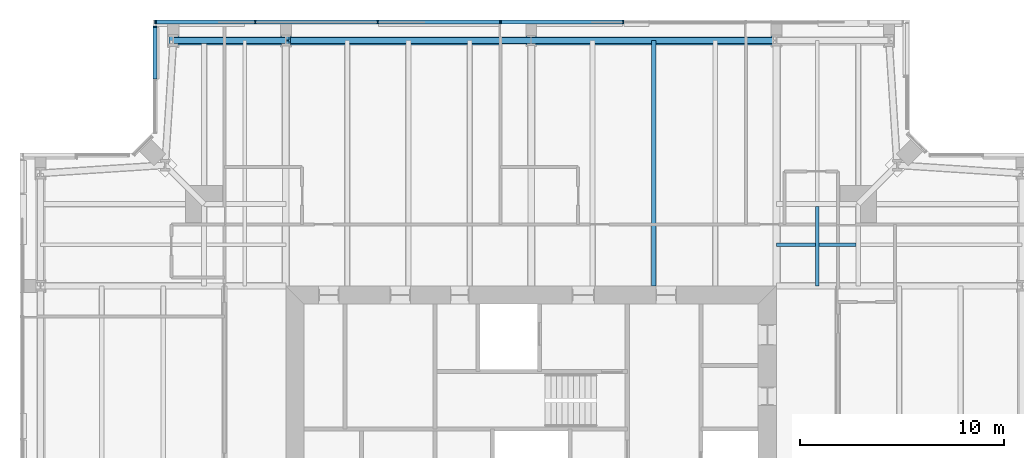
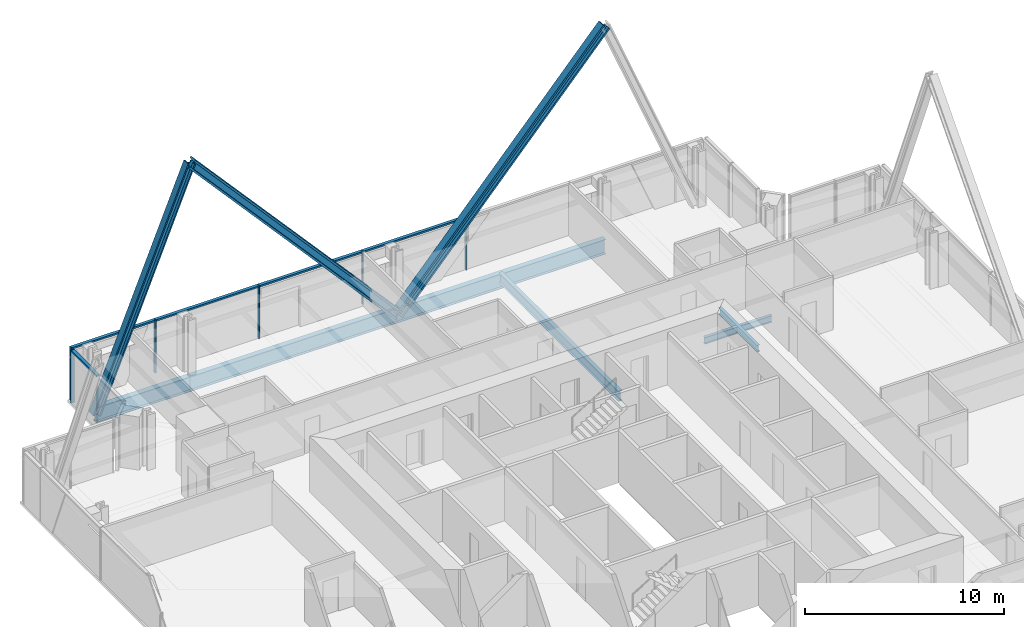
# One storey, part 8 of 19: 14 members, 7 beams, 2 elements without a shape of their own.
"""IFC4 building model written with IfcOpenShell, lengths in metres."""

import ifcopenshell
import ifcopenshell.guid

model = None  # the IFC model being written
_history = None  # IfcOwnerHistory: only IFC2X3 demands one
_inside = {}  # id of a spatial element -> (the spatial element, [elements in it])
_under = {}  # id of a project, library or spatial element -> (it, [spatial elements below it])
_declared = {}  # id of a project -> (the project, [libraries it declares])
_typed = {}  # id of a type object -> (the type object, [elements of that type])
_made_of = {}  # id of a material, layer set ... -> (it, [elements and type objects made of it])


def new_model(schema):
    """Start an empty IFC model of exactly this schema.

    Asked for "IFC4X3", IfcOpenShell would pick the latest addendum, in which some entities
    have other attributes; the version numbers below select the first issue.
    IFC2X3 requires an IfcOwnerHistory on every rooted entity: one is made here for all.
    """
    global model, _history
    if schema == "IFC4X3":
        model = ifcopenshell.file(schema_version=(4, 3, 0, 0))
    else:
        model = ifcopenshell.file(schema=schema)
    _inside.clear()
    _under.clear()
    _declared.clear()
    _typed.clear()
    _made_of.clear()
    _history = None
    if model.schema == "IFC2X3":
        org = make("IfcOrganization", Name="unknown")
        user = make(
            "IfcPersonAndOrganization",
            ThePerson=make("IfcPerson", FamilyName="unknown"),
            TheOrganization=org,
        )
        app = make(
            "IfcApplication",
            ApplicationDeveloper=org,
            Version="unknown",
            ApplicationFullName="unknown",
            ApplicationIdentifier="unknown",
        )
        _history = make(
            "IfcOwnerHistory",
            OwningUser=user,
            OwningApplication=app,
            ChangeAction="ADDED",
            CreationDate=0,
        )
    return model


def make(cls, **values):
    """One entity of the class cls with the attributes given. An attribute that is None is left unset."""
    return model.create_entity(
        cls, **{name: value for name, value in values.items() if value is not None}
    )


def rooted(cls, **values):
    """An entity with a GlobalId (a new one), such as an element, a storey or a relation."""
    return make(cls, GlobalId=ifcopenshell.guid.new(), OwnerHistory=_history, **values)


def si_unit(unit_type, name, prefix=None):
    """IfcSIUnit, for example si_unit("LENGTHUNIT", "METRE", prefix="MILLI")."""
    return make("IfcSIUnit", UnitType=unit_type, Prefix=prefix, Name=name)


def assignment(units):
    """IfcUnitAssignment: the units of a project."""
    return None if units is None else make("IfcUnitAssignment", Units=units)


def point(xyz):
    """IfcCartesianPoint."""
    return None if xyz is None else make("IfcCartesianPoint", Coordinates=xyz)


def direction(xyz):
    """IfcDirection."""
    return None if xyz is None else make("IfcDirection", DirectionRatios=xyz)


def frame(location, z_axis=None, x_axis=None):
    """IfcAxis2Placement3D, a coordinate frame: its origin and axes. An axis left out is left unset."""
    return make(
        "IfcAxis2Placement3D",
        Location=point(location),
        Axis=direction(z_axis),
        RefDirection=direction(x_axis),
    )


def frame_2d(location, x_axis=None):
    """IfcAxis2Placement2D, a coordinate frame in the plane: its origin and x axis."""
    return make(
        "IfcAxis2Placement2D", Location=point(location), RefDirection=direction(x_axis)
    )


def origin():
    """The frame at (0, 0, 0) with its axes left unset."""
    return frame((0.0, 0.0, 0.0))


def origin_2d():
    """The frame at (0, 0) in the plane with its x axis left unset."""
    return frame_2d((0.0, 0.0))


def place(relative_to, where):
    """IfcLocalPlacement: puts the frame where relative to a parent placement (None: the world)."""
    return make(
        "IfcLocalPlacement", PlacementRelTo=relative_to, RelativePlacement=where
    )


def context(
    kind, dimensions, precision=None, world=None, true_north=None, identifier=None
):
    """IfcGeometricRepresentationContext, for example the 3D "Model" context."""
    return make(
        "IfcGeometricRepresentationContext",
        ContextIdentifier=identifier,
        ContextType=kind,
        CoordinateSpaceDimension=dimensions,
        Precision=precision,
        WorldCoordinateSystem=world,
        TrueNorth=true_north,
    )


def subcontext(parent, identifier, kind, view, scale=None):
    """IfcGeometricRepresentationSubContext, for example "Body" below "Model"."""
    return make(
        "IfcGeometricRepresentationSubContext",
        ContextIdentifier=identifier,
        ContextType=kind,
        ParentContext=parent,
        TargetScale=scale,
        TargetView=view,
    )


def project(units=None, contexts=None):
    """IfcProject with its units and contexts."""
    return rooted(
        "IfcProject",
        Name="project",
        RepresentationContexts=contexts,
        UnitsInContext=assignment(units),
    )


def spatial(cls, under=None, at=None, **own):
    """A site, building, storey or space (cls), placed at a placement, below another one or the project."""
    s = rooted(cls, ObjectPlacement=at, **own)
    if under is not None:
        _under.setdefault(under.id(), (under, []))[1].append(s)
    return s


def profile(cls, at=None, kind="AREA", **sizes):
    """A parametric profile (cls). Its sizes go by their IFC names, for example OverallWidth=200.0."""
    return make(cls, ProfileType=kind, Position=at, **sizes)


def rectangle(**sizes):
    """IfcRectangleProfileDef."""
    return profile("IfcRectangleProfileDef", **sizes)


def i_section(**sizes):
    """IfcIShapeProfileDef."""
    return profile("IfcIShapeProfileDef", **sizes)


def extrude(swept, where, along, depth):
    """IfcExtrudedAreaSolid: the profile swept, set in the frame where, extruded along a direction by depth."""
    return make(
        "IfcExtrudedAreaSolid",
        SweptArea=swept,
        Position=where,
        ExtrudedDirection=direction(along),
        Depth=depth,
    )


def shape(context_of_items, identifier, shape_type, items):
    """IfcShapeRepresentation: the items that make up one representation, for example the "Body"."""
    return make(
        "IfcShapeRepresentation",
        ContextOfItems=context_of_items,
        RepresentationIdentifier=identifier,
        RepresentationType=shape_type,
        Items=items,
    )


def material(Name=None, Category=None):
    """IfcMaterial."""
    return make("IfcMaterial", Name=Name, Category=Category)


def material_profile(
    of_material, cross_section, Name=None, Category=None, Priority=None
):
    """IfcMaterialProfile: a cross section and its material."""
    return make(
        "IfcMaterialProfile",
        Name=Name,
        Material=of_material,
        Profile=cross_section,
        Priority=Priority,
        Category=Category,
    )


def profile_set(profiles, Name=None, composite=None):
    """IfcMaterialProfileSet."""
    return make(
        "IfcMaterialProfileSet",
        Name=Name,
        MaterialProfiles=profiles,
        CompositeProfile=composite,
    )


def made_of(thing, what):
    """Note that an element or type object is made of a material, layer set ...; save() writes the relation."""
    if what is not None:
        _made_of.setdefault(what.id(), (what, []))[1].append(thing)
    return thing


def type_object(cls, material=None, **own):
    """A type object (cls), such as IfcWallType, which elements share."""
    return made_of(rooted(cls, **own), material)


def element(
    cls,
    number,
    at=None,
    inside=None,
    cuts=None,
    type_object=None,
    material=None,
    context=None,
    identifier="Body",
    shape_type=None,
    held_by="IfcProductDefinitionShape",
    body=None,
    shapes=None,
    **own,
):
    """One element of the class cls, such as IfcWall. Its Tag is "e" and its number.

    at: its placement. inside: the storey or other place that contains it. cuts: it is an
    opening in that element (IfcRelVoidsElement). A single representation is given by context,
    identifier, shape_type and body (its items); several are given by shapes. held_by: the class
    of the entity that holds the representations. save() writes the other relations.
    """
    e = rooted(cls, Tag="e%d" % number, ObjectPlacement=at, **own)
    if body is not None:
        shapes = [shape(context, identifier, shape_type, body)]
    if shapes is not None:
        e.Representation = make(held_by, Representations=shapes)
    if inside is not None:
        _inside.setdefault(inside.id(), (inside, []))[1].append(e)
    if cuts is not None:
        rooted(
            "IfcRelVoidsElement", RelatingBuildingElement=cuts, RelatedOpeningElement=e
        )
    if type_object is not None:
        _typed.setdefault(type_object.id(), (type_object, []))[1].append(e)
    return made_of(e, material)


def aggregate(whole, parts):
    """IfcRelAggregates: a whole, such as a stair, and the parts it consists of."""
    return rooted("IfcRelAggregates", RelatingObject=whole, RelatedObjects=parts)


def save(model, path):
    """Write the relations noted so far, then the file.

    IfcRelAggregates (storeys below a building ...), IfcRelContainedInSpatialStructure (elements
    in a storey), IfcRelDefinesByType, IfcRelAssociatesMaterial and IfcRelDeclares: one each for
    every whole, place, type object, material and project.
    """
    for whole, parts in _under.values():
        aggregate(whole, parts)
    for where, things in _inside.values():
        rooted(
            "IfcRelContainedInSpatialStructure",
            RelatedElements=things,
            RelatingStructure=where,
        )
    for kind, things in _typed.values():
        rooted("IfcRelDefinesByType", RelatedObjects=things, RelatingType=kind)
    for what, things in _made_of.values():
        rooted("IfcRelAssociatesMaterial", RelatedObjects=things, RelatingMaterial=what)
    for by, libraries in _declared.values():
        rooted("IfcRelDeclares", RelatingContext=by, RelatedDefinitions=libraries)
    model.write(path)


model = new_model("IFC4")

# Units and contexts
model_context = context("Model", 3, precision=1e-05, world=origin(), true_north=direction((0.0, 1.0)))
body_context = subcontext(model_context, "Body", "Model", "MODEL_VIEW")
ifc_project = project(units=[si_unit("LENGTHUNIT", "METRE"), si_unit("AREAUNIT", "SQUARE_METRE"), si_unit("VOLUMEUNIT", "CUBIC_METRE"), si_unit("PLANEANGLEUNIT", "RADIAN"), si_unit("MASSUNIT", "GRAM", prefix="KILO")], contexts=[model_context])

# Site, building, storey
site_placement = place(None, origin())
site = spatial("IfcSite", under=ifc_project, at=site_placement, CompositionType="ELEMENT")
building_placement = place(site_placement, origin())
building = spatial("IfcBuilding", under=site, at=building_placement, Name="Fenwick Lantern Interchange", CompositionType="ELEMENT")
storey_placement = place(building_placement, frame((0.0, 0.0, 283.199951171875)))
storey = spatial("IfcBuildingStorey", under=building, at=storey_placement, Name="L68", CompositionType="ELEMENT", Elevation=283.199951171875)

# Beams
ifc_material_1 = material(Name="Steel ASTM A992 Grade 50", Category="steel")
ifc_material_profile_1 = material_profile(ifc_material_1, i_section(OverallWidth=0.3046875, OverallDepth=0.911865234375, WebThickness=0.015869140625, FlangeThickness=0.02392578125, at=origin_2d()), Name="W36X150")
ifc_profile_set_1 = profile_set([ifc_material_profile_1], Name="Steel ASTM A992 Grade 50")
beam_type_1 = type_object("IfcBeamType", Name="EDGE BEAM W36X150", PredefinedType="SPANDREL", material=ifc_profile_set_1)
for number, where, z_axis, x_axis, name in (
    (1, (37.0, 49.0, -0.60595703125), (-1.0, 0.0, 0.0), (0.0, -1.0, 0.0), "L68/FR/N/EB2"),
    (2, (25.0, 49.0, -0.60595703125), (-1.0, 0.0, 0.0), (0.0, -1.0, 0.0), "L68/FR/N/EB3"),
):
    element("IfcBeam", number, at=place(storey_placement, frame(where, z_axis=z_axis, x_axis=x_axis)), inside=storey, type_object=beam_type_1, Name=name, PredefinedType="SPANDREL", context=body_context, shape_type="SweptSolid", body=[
        extrude(i_section(OverallWidth=0.3046875, OverallDepth=0.911865234375, WebThickness=0.015869140625, FlangeThickness=0.02392578125, at=origin_2d()), origin(), (0.0, 0.0, 1.0), 12.0),
    ])
beam_1_placement = place(storey_placement, frame((13.0, 49.0, -0.60595703125), z_axis=(-1.0, 0.0, 0.0), x_axis=(0.0, -1.0, 0.0)))
element("IfcBeam", 3, at=beam_1_placement, inside=storey, type_object=beam_type_1, Name="L68/FR/N/EB4", PredefinedType="SPANDREL", context=body_context, shape_type="SweptSolid", body=[
    extrude(i_section(OverallWidth=0.3046875, OverallDepth=0.911865234375, WebThickness=0.015869140625, FlangeThickness=0.02392578125, at=origin_2d()), origin(), (0.0, 0.0, 1.0), 5.5),
])

# Members
ifc_material_profile_2 = material_profile(ifc_material_1, i_section(OverallWidth=0.424072265625, OverallDepth=0.47509765625, WebThickness=0.0478515625, FlangeThickness=0.0771484375, at=origin_2d()), Name="W14X426")
ifc_profile_set_2 = profile_set([ifc_material_profile_2], Name="Steel ASTM A992 Grade 50")
member_type_1 = type_object("IfcMemberType", Name="FACADE BRACE W14X426", PredefinedType="BRACE", material=ifc_profile_set_2)
member_1_placement = place(storey_placement, frame((7.5, 49.0, -0.60595703125), z_axis=(0.377648302155, 0.0, 0.925949113008), x_axis=(0.0, 1.0, 0.0)))
element("IfcMember", 4, at=member_1_placement, inside=storey, type_object=member_type_1, Name="L68/FB/N/BE", PredefinedType="BRACE", context=body_context, shape_type="SweptSolid", body=[
    extrude(i_section(OverallWidth=0.424072265625, OverallDepth=0.47509765625, WebThickness=0.0478515625, FlangeThickness=0.0771484375, at=origin_2d()), origin(), (0.0, 0.0, 1.0), 14.563720703125),
])
ifc_material_profile_3 = material_profile(ifc_material_1, i_section(OverallWidth=0.44189453125, OverallDepth=0.53076171875, WebThickness=0.06591796875, FlangeThickness=0.105712890625, at=origin_2d()), Name="W14X605")
ifc_profile_set_3 = profile_set([ifc_material_profile_3], Name="Steel ASTM A992 Grade 50")
member_type_2 = type_object("IfcMemberType", Name="FACADE BRACE W14X605", PredefinedType="BRACE", material=ifc_profile_set_3)
for number, where, z_axis, x_axis, name in (
    (5, (25.0, 49.0, -0.60595703125), (0.66476668545, 0.0, 0.747051038361), (0.0, 1.0, 0.0), "L68/FB/N/A"),
    (6, (25.0, 49.0, -0.60595703125), (-0.66476668545, 0.0, 0.747051038361), (0.0, -1.0, 0.0), "L68/FB/N/B"),
):
    element("IfcMember", number, at=place(storey_placement, frame(where, z_axis=z_axis, x_axis=x_axis)), inside=storey, type_object=member_type_2, Name=name, PredefinedType="BRACE", context=body_context, shape_type="SweptSolid", body=[
        extrude(i_section(OverallWidth=0.44189453125, OverallDepth=0.53076171875, WebThickness=0.06591796875, FlangeThickness=0.105712890625, at=origin_2d()), origin(), (0.0, 0.0, 1.0), 18.051513671875),
    ])

# Beam
ifc_material_profile_4 = material_profile(ifc_material_1, i_section(OverallWidth=0.22900390625, OverallDepth=0.612060546875, WebThickness=0.011962890625, FlangeThickness=0.01953125, at=origin_2d()), Name="W24X84")
ifc_profile_set_4 = profile_set([ifc_material_profile_4], Name="Steel ASTM A992 Grade 50")
beam_type_2 = type_object("IfcBeamType", Name="FLOOR BEAM W24X84", PredefinedType="BEAM", material=ifc_profile_set_4)
beam_2_placement = place(storey_placement, frame((31.0, 49.0, -0.4560546875), z_axis=(0.0, -1.0, 0.0), x_axis=(1.0, 0.0, 0.0)))
element("IfcBeam", 7, at=beam_2_placement, inside=storey, type_object=beam_type_2, Name="L68/FR/N/R03", PredefinedType="BEAM", context=body_context, shape_type="SweptSolid", body=[
    extrude(i_section(OverallWidth=0.22900390625, OverallDepth=0.612060546875, WebThickness=0.011962890625, FlangeThickness=0.01953125, at=origin_2d()), origin(), (0.0, 0.0, 1.0), 12.0),
])

# Curtain wall, members
ifc_material_2 = material(Name="Aluminium curtain wall frame", Category="aluminium")
curtain_wall_type = type_object("IfcCurtainWallType", Name="HOTEL CURTAIN WALL", PredefinedType="USERDEFINED", material=ifc_material_2)
curtain_wall_1_placement = place(storey_placement, origin())
curtain_wall_1 = element("IfcCurtainWall", 8, at=curtain_wall_1_placement, inside=storey, type_object=curtain_wall_type, Name="Hotel curtain wall 09", ObjectType="HOTEL CURTAIN WALL", PredefinedType="USERDEFINED")
ifc_material_3 = material(Name="Aluminium extrusion", Category="aluminium")
ifc_material_profile_5 = material_profile(ifc_material_3, rectangle(XDim=0.179931640625, YDim=0.06005859375, at=origin_2d()), Name="HOTEL CURTAIN WALL MULLION 60 X 180")
ifc_profile_set_5 = profile_set([ifc_material_profile_5], Name="Aluminium extrusion")
member_type_3 = type_object("IfcMemberType", Name="HOTEL CURTAIN WALL MULLION 60 X 180", PredefinedType="MULLION", material=ifc_profile_set_5)
member_2_placement = place(storey_placement, frame((29.5, 49.89990234375, 0.0), z_axis=(0.0, 0.0, 1.0), x_axis=(0.0, -1.0, 0.0)))
member_2 = element("IfcMember", 9, at=member_2_placement, type_object=member_type_3, Name="L68/CW/09/M03", PredefinedType="MULLION", context=body_context, shape_type="SweptSolid", body=[
    extrude(rectangle(XDim=0.179931640625, YDim=0.06005859375, at=origin_2d()), origin(), (0.0, 0.0, 1.0), 3.25),
])
member_3_placement = place(storey_placement, frame((23.5, 49.89990234375, 0.0), z_axis=(0.0, 0.0, 1.0), x_axis=(0.0, -1.0, 0.0)))
member_3 = element("IfcMember", 10, at=member_3_placement, type_object=member_type_3, Name="L68/CW/09/M04", PredefinedType="MULLION", context=body_context, shape_type="SweptSolid", body=[
    extrude(rectangle(XDim=0.179931640625, YDim=0.06005859375, at=origin_2d()), origin(), (0.0, 0.0, 1.0), 3.25),
])
member_4_placement = place(storey_placement, frame((17.5, 49.89990234375, 0.0), z_axis=(0.0, 0.0, 1.0), x_axis=(0.0, -1.0, 0.0)))
member_4 = element("IfcMember", 11, at=member_4_placement, type_object=member_type_3, Name="L68/CW/09/M05", PredefinedType="MULLION", context=body_context, shape_type="SweptSolid", body=[
    extrude(rectangle(XDim=0.179931640625, YDim=0.06005859375, at=origin_2d()), origin(), (0.0, 0.0, 1.0), 3.25),
])
member_5_placement = place(storey_placement, frame((11.5, 49.89990234375, 0.0), z_axis=(0.0, 0.0, 1.0), x_axis=(0.0, -1.0, 0.0)))
member_5 = element("IfcMember", 12, at=member_5_placement, type_object=member_type_3, Name="L68/CW/09/M06", PredefinedType="MULLION", context=body_context, shape_type="SweptSolid", body=[
    extrude(rectangle(XDim=0.179931640625, YDim=0.06005859375, at=origin_2d()), origin(), (0.0, 0.0, 1.0), 3.25),
])
member_6_placement = place(storey_placement, frame((6.6298828125, 49.89990234375, 0.0), z_axis=(0.0, 0.0, 1.0), x_axis=(0.0, -1.0, 0.0)))
member_6 = element("IfcMember", 13, at=member_6_placement, type_object=member_type_3, Name="L68/CW/09/M07", PredefinedType="MULLION", context=body_context, shape_type="SweptSolid", body=[
    extrude(rectangle(XDim=0.179931640625, YDim=0.06005859375, at=origin_2d()), origin(), (0.0, 0.0, 1.0), 3.25),
])

# Curtain wall, member
curtain_wall_2_placement = place(storey_placement, origin())
curtain_wall_2 = element("IfcCurtainWall", 14, at=curtain_wall_2_placement, inside=storey, type_object=curtain_wall_type, Name="Hotel curtain wall 10", ObjectType="HOTEL CURTAIN WALL", PredefinedType="USERDEFINED")
member_7_placement = place(storey_placement, frame((6.60009765625, 49.669921875, 0.0), z_axis=(0.0, 0.0, 1.0), x_axis=(1.0, 0.0, 0.0)))
member_7 = element("IfcMember", 15, at=member_7_placement, type_object=member_type_3, Name="L68/CW/10/M00", PredefinedType="MULLION", context=body_context, shape_type="SweptSolid", body=[
    extrude(rectangle(XDim=0.179931640625, YDim=0.06005859375, at=origin_2d()), origin(), (0.0, 0.0, 1.0), 3.25),
])

# Member
ifc_material_profile_6 = material_profile(ifc_material_3, rectangle(XDim=0.179931640625, YDim=0.10009765625, at=origin_2d()), Name="HOTEL CURTAIN WALL TRANSOM 100 X 180")
ifc_profile_set_6 = profile_set([ifc_material_profile_6], Name="Aluminium extrusion")
member_type_4 = type_object("IfcMemberType", Name="HOTEL CURTAIN WALL TRANSOM 100 X 180", PredefinedType="MULLION", material=ifc_profile_set_6)
member_8_placement = place(storey_placement, frame((29.469970703125, 49.89990234375, 3.199951171875), z_axis=(-1.0, 0.0, 0.0), x_axis=(0.0, -1.0, 0.0)))
member_8 = element("IfcMember", 16, at=member_8_placement, type_object=member_type_4, Name="L68/CW/09/T03", PredefinedType="MULLION", context=body_context, shape_type="SweptSolid", body=[
    extrude(rectangle(XDim=0.179931640625, YDim=0.10009765625, at=origin_2d()), origin(), (0.0, 0.0, 1.0), 5.93994140625),
])

member_9_placement = place(storey_placement, frame((23.469970703125, 49.89990234375, 3.199951171875), z_axis=(-1.0, 0.0, 0.0), x_axis=(0.0, -1.0, 0.0)))
member_9 = element("IfcMember", 17, at=member_9_placement, type_object=member_type_4, Name="L68/CW/09/T04", PredefinedType="MULLION", context=body_context, shape_type="SweptSolid", body=[
    extrude(rectangle(XDim=0.179931640625, YDim=0.10009765625, at=origin_2d()), origin(), (0.0, 0.0, 1.0), 5.93994140625),
])

member_10_placement = place(storey_placement, frame((17.469970703125, 49.89990234375, 3.199951171875), z_axis=(-1.0, 0.0, 0.0), x_axis=(0.0, -1.0, 0.0)))
member_10 = element("IfcMember", 18, at=member_10_placement, type_object=member_type_4, Name="L68/CW/09/T05", PredefinedType="MULLION", context=body_context, shape_type="SweptSolid", body=[
    extrude(rectangle(XDim=0.179931640625, YDim=0.10009765625, at=origin_2d()), origin(), (0.0, 0.0, 1.0), 5.93994140625),
])

member_11_placement = place(storey_placement, frame((11.469970703125, 49.89990234375, 3.199951171875), z_axis=(-1.0, 0.0, 0.0), x_axis=(0.0, -1.0, 0.0)))
member_11 = element("IfcMember", 19, at=member_11_placement, type_object=member_type_4, Name="L68/CW/09/T06", PredefinedType="MULLION", context=body_context, shape_type="SweptSolid", body=[
    extrude(rectangle(XDim=0.179931640625, YDim=0.10009765625, at=origin_2d()), origin(), (0.0, 0.0, 1.0), 4.81005859375),
])

aggregate(curtain_wall_1, [member_2, member_3, member_4, member_5, member_6, member_8, member_9, member_10, member_11])

member_12_placement = place(storey_placement, frame((6.60009765625, 49.639892578125, 3.199951171875), z_axis=(0.0, -1.0, 0.0), x_axis=(1.0, 0.0, 0.0)))
member_12 = element("IfcMember", 20, at=member_12_placement, type_object=member_type_4, Name="L68/CW/10/T00", PredefinedType="MULLION", context=body_context, shape_type="SweptSolid", body=[
    extrude(rectangle(XDim=0.179931640625, YDim=0.10009765625, at=origin_2d()), origin(), (0.0, 0.0, 1.0), 2.530517578125),
])

aggregate(curtain_wall_2, [member_7, member_12])

# Beams
ifc_material_profile_7 = material_profile(ifc_material_1, i_section(OverallWidth=0.177734375, OverallDepth=0.406494140625, WebThickness=0.0078125, FlangeThickness=0.012939453125, at=origin_2d()), Name="W16X40")
ifc_profile_set_7 = profile_set([ifc_material_profile_7], Name="Steel ASTM A992 Grade 50")
beam_type_3 = type_object("IfcBeamType", Name="INFILL BEAM W16X40", PredefinedType="JOIST", material=ifc_profile_set_7)
beam_3_placement = place(storey_placement, frame((39.0, 40.885498046875, -0.353271484375), z_axis=(0.0, -1.0, 0.0), x_axis=(1.0, 0.0, 0.0)))
element("IfcBeam", 21, at=beam_3_placement, inside=storey, type_object=beam_type_3, Name="L68/FR/N/J2", PredefinedType="JOIST", context=body_context, shape_type="SweptSolid", body=[
    extrude(i_section(OverallWidth=0.177734375, OverallDepth=0.406494140625, WebThickness=0.0078125, FlangeThickness=0.012939453125, at=origin_2d()), origin(), (0.0, 0.0, 1.0), 3.885498046875),
])
beam_4_placement = place(storey_placement, frame((40.885498046875, 39.0, -0.353271484375), z_axis=(-1.0, 0.0, 0.0), x_axis=(0.0, -1.0, 0.0)))
element("IfcBeam", 22, at=beam_4_placement, inside=storey, type_object=beam_type_3, Name="L68/FR/N/J4", PredefinedType="JOIST", context=body_context, shape_type="SweptSolid", body=[
    extrude(i_section(OverallWidth=0.177734375, OverallDepth=0.406494140625, WebThickness=0.0078125, FlangeThickness=0.012939453125, at=origin_2d()), origin(), (0.0, 0.0, 1.0), 1.796630859375),
])
beam_5_placement = place(storey_placement, frame((38.9111328125, 39.0, -0.353271484375), z_axis=(-1.0, 0.0, 0.0), x_axis=(0.0, -1.0, 0.0)))
element("IfcBeam", 23, at=beam_5_placement, inside=storey, type_object=beam_type_3, Name="L68/FR/N/J5", PredefinedType="JOIST", context=body_context, shape_type="SweptSolid", body=[
    extrude(i_section(OverallWidth=0.177734375, OverallDepth=0.406494140625, WebThickness=0.0078125, FlangeThickness=0.012939453125, at=origin_2d()), origin(), (0.0, 0.0, 1.0), 1.9111328125),
])

save(model, "model.ifc")
